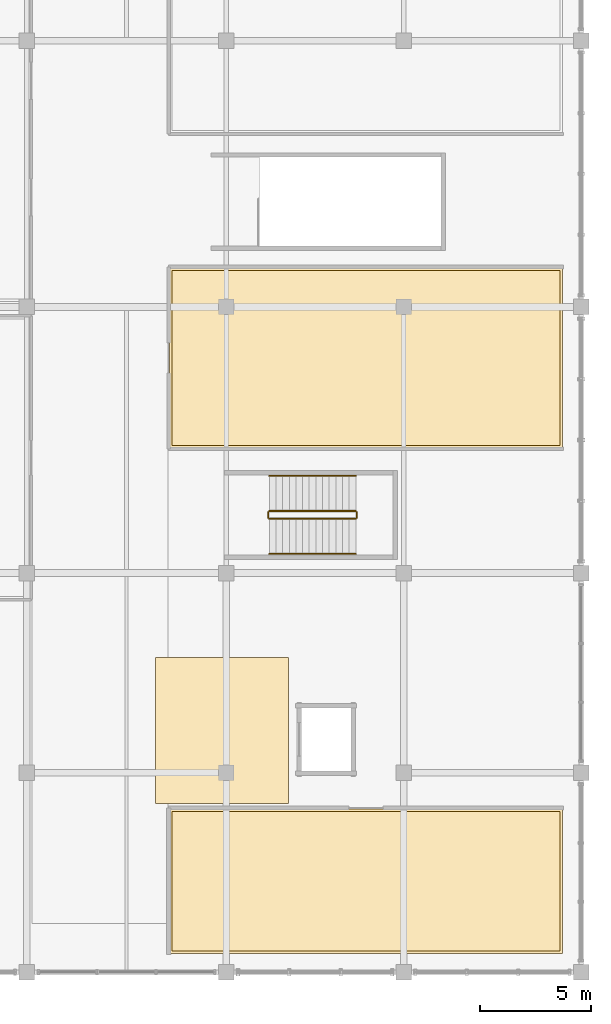
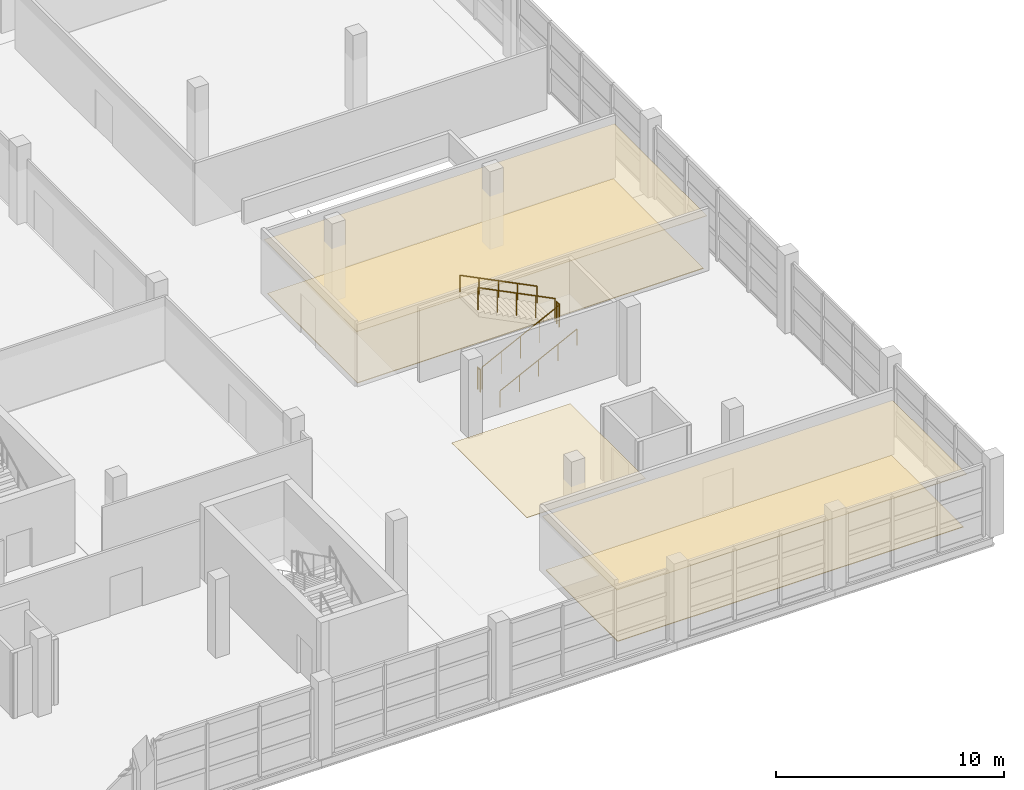
# One storey, part 131 of 136: 6 railings, 5 coverings.
"""IFC4 building model written with IfcOpenShell, lengths in metres."""

from ifc_helpers import new_model, si_unit, direction, frame, origin, origin_2d, place, context, subcontext, project, spatial, polyline, circle, outline, extrude, material, layer, layer_set, type_object, element, save


model = new_model("IFC4")

# Units and contexts
model_context = context("Model", 3, precision=1e-05, world=origin(), true_north=direction((0.0, 1.0)))
body_context = subcontext(model_context, "Body", "Model", "MODEL_VIEW")
ifc_project = project(units=[si_unit("LENGTHUNIT", "METRE"), si_unit("AREAUNIT", "SQUARE_METRE"), si_unit("VOLUMEUNIT", "CUBIC_METRE"), si_unit("PLANEANGLEUNIT", "RADIAN"), si_unit("MASSUNIT", "GRAM", prefix="KILO")], contexts=[model_context])

# Site, building, storey
site_placement = place(None, origin())
site = spatial("IfcSite", under=ifc_project, at=site_placement, CompositionType="ELEMENT")
building_placement = place(site_placement, origin())
building = spatial("IfcBuilding", under=site, at=building_placement, Name="Chuanluo Vaults Station", CompositionType="ELEMENT")
storey_placement = place(building_placement, frame((0.0, 0.0, 6.60009765625)))
storey = spatial("IfcBuildingStorey", under=building, at=storey_placement, Name="L01", CompositionType="ELEMENT", Elevation=6.60009765625)

# Coverings
ifc_material_1 = material(Name="Acoustic mineral-fibre tile")
ifc_layer_1 = layer(ifc_material_1, 0.02490234375)
ifc_layer_set_1 = layer_set([ifc_layer_1], Name="Acoustic mineral-fibre tile")
covering_type_1 = type_object("IfcCoveringType", Name="COV-CEIL-TILE", PredefinedType="CEILING", material=ifc_layer_set_1)
covering_1_placement = place(storey_placement, frame((0.0, 0.0, 2.849853515625)))
element("IfcCovering", 1, at=covering_1_placement, inside=storey, type_object=covering_type_1, Name="L01-10 suspended acoustic ceiling", PredefinedType="CEILING", context=body_context, shape_type="SweptSolid", body=[
    extrude(outline(polyline([(169.43994140625, 0.840087890625), (187.159912109375, 0.840087890625), (187.159912109375, 7.360107421875), (169.43994140625, 7.360107421875), (169.43994140625, 0.840087890625)])), origin(), (0.0, 0.0, 1.0), 0.025146484375),
])
covering_2_placement = place(storey_placement, frame((0.0, 0.0, 2.849853515625)))
element("IfcCovering", 2, at=covering_2_placement, inside=storey, type_object=covering_type_1, Name="L01-10B suspended acoustic ceiling", PredefinedType="CEILING", context=body_context, shape_type="SweptSolid", body=[
    extrude(outline(polyline([(168.800048828125, 7.60009765625), (174.800048828125, 7.60009765625), (174.800048828125, 14.199951171875), (168.800048828125, 14.199951171875), (168.800048828125, 7.60009765625)])), origin(), (0.0, 0.0, 1.0), 0.025146484375),
])
covering_3_placement = place(storey_placement, frame((0.0, 0.0, 2.849853515625)))
element("IfcCovering", 3, at=covering_3_placement, inside=storey, type_object=covering_type_1, Name="L01-10C suspended acoustic ceiling", PredefinedType="CEILING", context=body_context, shape_type="SweptSolid", body=[
    extrude(outline(polyline([(169.43994140625, 23.639892578125), (187.159912109375, 23.639892578125), (187.159912109375, 31.760009765625), (169.43994140625, 31.760009765625), (169.43994140625, 23.639892578125)])), origin(), (0.0, 0.0, 1.0), 0.025146484375),
])
ifc_material_2 = material(Name="Granite stone flooring", Category="masonry")
ifc_layer_2 = layer(ifc_material_2, 0.034912109375)
ifc_layer_set_2 = layer_set([ifc_layer_2], Name="Granite stone flooring")
covering_type_2 = type_object("IfcCoveringType", Name="COV-FLOR-GRAN", PredefinedType="FLOORING", material=ifc_layer_set_2)
covering_4_placement = place(storey_placement, origin())
element("IfcCovering", 4, at=covering_4_placement, inside=storey, type_object=covering_type_2, Name="L01-10 granite floor finish", PredefinedType="FLOORING", context=body_context, shape_type="SweptSolid", body=[
    extrude(outline(polyline([(169.550048828125, 0.949951171875), (187.050048828125, 0.949951171875), (187.050048828125, 7.25), (169.550048828125, 7.25), (169.550048828125, 0.949951171875)])), origin(), (0.0, 0.0, 1.0), 0.034912109375),
])
covering_5_placement = place(storey_placement, origin())
element("IfcCovering", 5, at=covering_5_placement, inside=storey, type_object=covering_type_2, Name="L01-10C granite floor finish", PredefinedType="FLOORING", context=body_context, shape_type="SweptSolid", body=[
    extrude(outline(polyline([(169.550048828125, 23.75), (187.050048828125, 23.75), (187.050048828125, 31.64990234375), (169.550048828125, 31.64990234375), (169.550048828125, 23.75)])), origin(), (0.0, 0.0, 1.0), 0.034912109375),
])

# Railings
ifc_material_3 = material(Name="Tempered laminated balustrade glass", Category="glass")
railing_type_1 = type_object("IfcRailingType", Name="RLG-GUARD-1200", PredefinedType="BALUSTRADE", material=ifc_material_3)
railing_1_placement = place(storey_placement, frame((173.9375, 20.447509765625, 0.14990234375)))
element("IfcRailing", 6, at=railing_1_placement, inside=storey, type_object=railing_type_1, Name="L01 ST-27 stair guard 1", PredefinedType="BALUSTRADE", context=body_context, shape_type="SweptSolid", body=[
    extrude(circle(Radius=0.02392578125, at=origin_2d()), frame((0.0, 0.0, 1.17578125), z_axis=(0.894427191, 0.0, 0.4472135955), x_axis=(0.0, 1.0, 0.0)), (0.0, 0.0, 1.0), 4.360107421875),
    extrude(circle(Radius=0.02099609375, at=origin_2d()), origin(), (0.0, 0.0, 1.0), 1.15185546875),
    extrude(circle(Radius=0.02099609375, at=origin_2d()), frame((0.97509765625, 0.0, 0.487548828125)), (0.0, 0.0, 1.0), 1.15185546875),
    extrude(circle(Radius=0.02099609375, at=origin_2d()), frame((1.949951171875, 0.0, 0.97509765625)), (0.0, 0.0, 1.0), 1.15185546875),
    extrude(circle(Radius=0.02099609375, at=origin_2d()), frame((2.9248046875, 0.0, 1.46240234375)), (0.0, 0.0, 1.0), 1.15185546875),
    extrude(circle(Radius=0.02099609375, at=origin_2d()), frame((3.89990234375, 0.0, 1.949951171875)), (0.0, 0.0, 1.0), 1.15185546875),
])
railing_2_placement = place(storey_placement, frame((177.887451171875, 20.49755859375, 2.099853515625)))
element("IfcRailing", 7, at=railing_2_placement, inside=storey, type_object=railing_type_1, Name="L01 ST-27 stair guard 2", PredefinedType="BALUSTRADE", context=body_context, shape_type="SweptSolid", body=[
    extrude(circle(Radius=0.02392578125, at=origin_2d()), frame((0.0, 0.0, 1.17578125), z_axis=(0.0, 1.0, 0.0), x_axis=(-1.0, 0.0, 0.0)), (0.0, 0.0, 1.0), 0.25),
    extrude(circle(Radius=0.02099609375, at=origin_2d()), origin(), (0.0, 0.0, 1.0), 1.15185546875),
    extrude(circle(Radius=0.02099609375, at=origin_2d()), frame((0.0, 0.25, 0.0)), (0.0, 0.0, 1.0), 1.15185546875),
])
railing_3_placement = place(storey_placement, frame((177.83740234375, 20.797607421875, 2.25)))
element("IfcRailing", 8, at=railing_3_placement, inside=storey, type_object=railing_type_1, Name="L01 ST-27 stair guard 3", PredefinedType="BALUSTRADE", context=body_context, shape_type="SweptSolid", body=[
    extrude(circle(Radius=0.02392578125, at=origin_2d()), frame((0.0, 0.0, 1.17578125), z_axis=(-0.894427191, 0.0, 0.4472135955), x_axis=(0.0, -1.0, 0.0)), (0.0, 0.0, 1.0), 4.360107421875),
    extrude(circle(Radius=0.02099609375, at=origin_2d()), origin(), (0.0, 0.0, 1.0), 1.15185546875),
    extrude(circle(Radius=0.02099609375, at=origin_2d()), frame((-0.97509765625, 0.0, 0.487548828125)), (0.0, 0.0, 1.0), 1.15185546875),
    extrude(circle(Radius=0.02099609375, at=origin_2d()), frame((-1.949951171875, 0.0, 0.97509765625)), (0.0, 0.0, 1.0), 1.15185546875),
    extrude(circle(Radius=0.02099609375, at=origin_2d()), frame((-2.9248046875, 0.0, 1.46240234375)), (0.0, 0.0, 1.0), 1.15185546875),
    extrude(circle(Radius=0.02099609375, at=origin_2d()), frame((-3.89990234375, 0.0, 1.949951171875)), (0.0, 0.0, 1.0), 1.15185546875),
])
railing_4_placement = place(storey_placement, frame((173.887451171875, 20.49755859375, 0.0)))
element("IfcRailing", 9, at=railing_4_placement, inside=storey, type_object=railing_type_1, Name="L01 ST-27 stair guard 4", PredefinedType="BALUSTRADE", context=body_context, shape_type="SweptSolid", body=[
    extrude(circle(Radius=0.02392578125, at=origin_2d()), frame((0.0, 0.0, 1.17578125), z_axis=(0.0, 1.0, 0.0), x_axis=(-1.0, 0.0, 0.0)), (0.0, 0.0, 1.0), 0.25),
    extrude(circle(Radius=0.02099609375, at=origin_2d()), origin(), (0.0, 0.0, 1.0), 1.15185546875),
    extrude(circle(Radius=0.02099609375, at=origin_2d()), frame((0.0, 0.25, 0.0)), (0.0, 0.0, 1.0), 1.15185546875),
])
ifc_material_4 = material(Name="Brushed stainless steel 304", Category="steel")
railing_type_2 = type_object("IfcRailingType", Name="RLG-HAND-900", PredefinedType="HANDRAIL", material=ifc_material_4)
railing_5_placement = place(storey_placement, frame((173.9375, 18.862548828125, 0.14990234375)))
element("IfcRailing", 10, at=railing_5_placement, inside=storey, type_object=railing_type_2, Name="L01 ST-27 stair handrail 1", PredefinedType="HANDRAIL", context=body_context, shape_type="SweptSolid", body=[
    extrude(circle(Radius=0.02392578125, at=origin_2d()), frame((0.0, 0.0, 0.8759765625), z_axis=(0.894427191, 0.0, 0.4472135955), x_axis=(0.0, 1.0, 0.0)), (0.0, 0.0, 1.0), 4.360107421875),
    extrude(circle(Radius=0.02099609375, at=origin_2d()), origin(), (0.0, 0.0, 1.0), 0.851806640625),
    extrude(circle(Radius=0.02099609375, at=origin_2d()), frame((0.97509765625, 0.0, 0.487548828125)), (0.0, 0.0, 1.0), 0.851806640625),
    extrude(circle(Radius=0.02099609375, at=origin_2d()), frame((1.949951171875, 0.0, 0.97509765625)), (0.0, 0.0, 1.0), 0.851806640625),
    extrude(circle(Radius=0.02099609375, at=origin_2d()), frame((2.9248046875, 0.0, 1.46240234375)), (0.0, 0.0, 1.0), 0.851806640625),
    extrude(circle(Radius=0.02099609375, at=origin_2d()), frame((3.89990234375, 0.0, 1.949951171875)), (0.0, 0.0, 1.0), 0.851806640625),
])
railing_6_placement = place(storey_placement, frame((177.83740234375, 22.382568359375, 2.25)))
element("IfcRailing", 11, at=railing_6_placement, inside=storey, type_object=railing_type_2, Name="L01 ST-27 stair handrail 2", PredefinedType="HANDRAIL", context=body_context, shape_type="SweptSolid", body=[
    extrude(circle(Radius=0.02392578125, at=origin_2d()), frame((0.0, 0.0, 0.8759765625), z_axis=(-0.894427191, 0.0, 0.4472135955), x_axis=(0.0, -1.0, 0.0)), (0.0, 0.0, 1.0), 4.360107421875),
    extrude(circle(Radius=0.02099609375, at=origin_2d()), origin(), (0.0, 0.0, 1.0), 0.851806640625),
    extrude(circle(Radius=0.02099609375, at=origin_2d()), frame((-0.97509765625, 0.0, 0.487548828125)), (0.0, 0.0, 1.0), 0.851806640625),
    extrude(circle(Radius=0.02099609375, at=origin_2d()), frame((-1.949951171875, 0.0, 0.97509765625)), (0.0, 0.0, 1.0), 0.851806640625),
    extrude(circle(Radius=0.02099609375, at=origin_2d()), frame((-2.9248046875, 0.0, 1.46240234375)), (0.0, 0.0, 1.0), 0.851806640625),
    extrude(circle(Radius=0.02099609375, at=origin_2d()), frame((-3.89990234375, 0.0, 1.949951171875)), (0.0, 0.0, 1.0), 0.851806640625),
])

save(model, "model.ifc")
